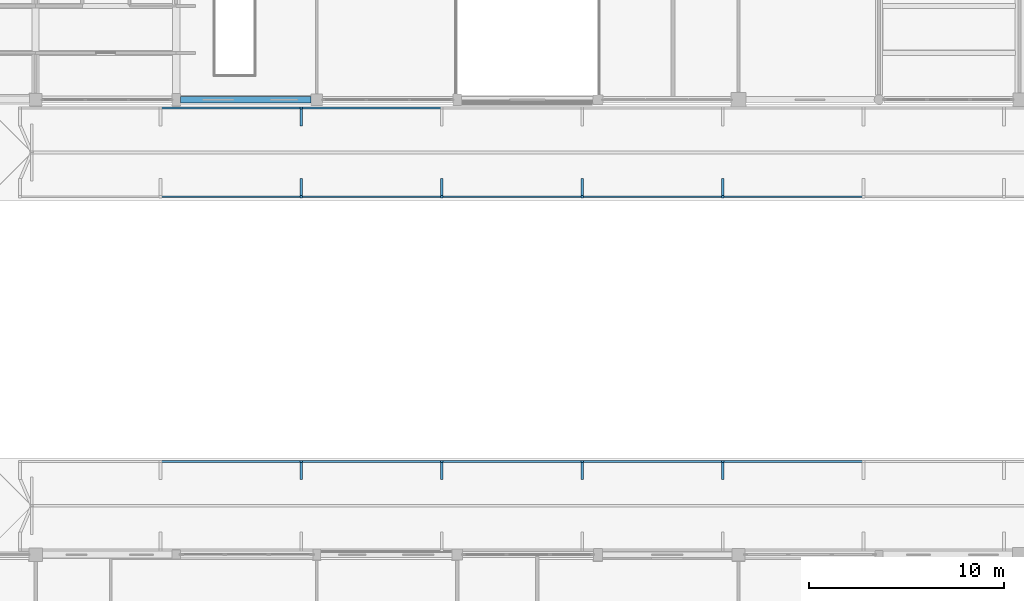
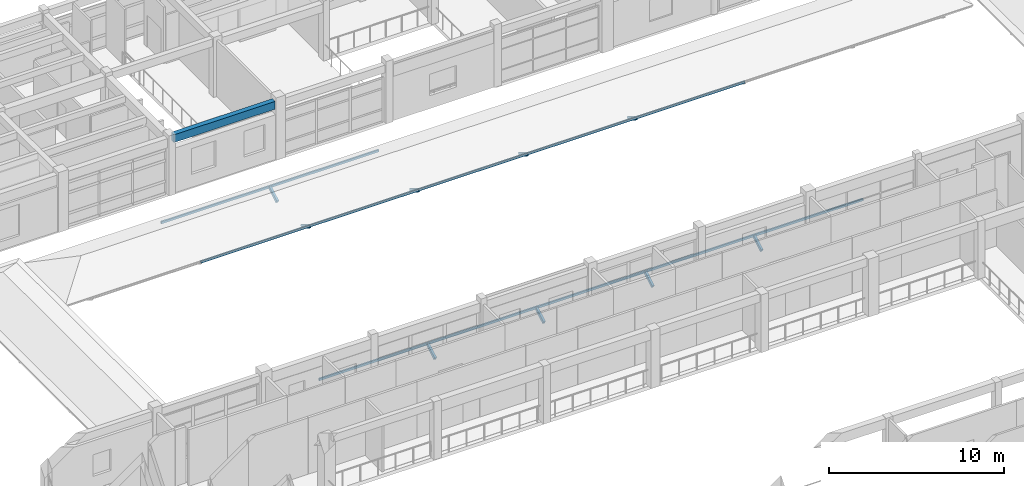
# One storey, part 22 of 110: 21 members, 1 beam.
"""IFC4 building model written with IfcOpenShell, lengths in metres."""

from ifc_helpers import new_model, si_unit, direction, frame, origin, origin_2d, place, context, subcontext, project, spatial, rectangle, hollow_rectangle, extrude, material, material_profile, profile_set, type_object, element, save


model = new_model("IFC4")

# Units and contexts
model_context = context("Model", 3, precision=1e-05, world=origin(), true_north=direction((0.0, 1.0)))
body_context = subcontext(model_context, "Body", "Model", "MODEL_VIEW")
ifc_project = project(units=[si_unit("LENGTHUNIT", "METRE"), si_unit("AREAUNIT", "SQUARE_METRE"), si_unit("VOLUMEUNIT", "CUBIC_METRE"), si_unit("PLANEANGLEUNIT", "RADIAN"), si_unit("MASSUNIT", "GRAM", prefix="KILO")], contexts=[model_context])

# Site, building, storey
site_placement = place(None, origin())
site = spatial("IfcSite", under=ifc_project, at=site_placement, CompositionType="ELEMENT")
building_placement = place(site_placement, origin())
building = spatial("IfcBuilding", under=site, at=building_placement, Name="Steenspoor Specialist Clinic", CompositionType="ELEMENT")
storey_placement = place(building_placement, frame((0.0, 0.0, 4.800048828125)))
storey = spatial("IfcBuildingStorey", under=building, at=storey_placement, Name="L01", CompositionType="ELEMENT", Elevation=4.800048828125)

# Members
ifc_material_1 = material(Name="Steel A500 Grade C", Category="steel")
ifc_material_profile_1 = material_profile(ifc_material_1, hollow_rectangle(XDim=0.1015625, YDim=0.15234375, WallThickness=0.005859375, at=origin_2d()), Name="HSS152X102X6.4")
ifc_profile_set_1 = profile_set([ifc_material_profile_1], Name="Steel A500 Grade C")
member_type_1 = type_object("IfcMemberType", Name="MEM-PURLIN-H152", PredefinedType="PURLIN", material=ifc_profile_set_1)
for number, where, z_axis, x_axis, name in (
    (1, (66.0, 60.179931640625, -1.571533203125), (1.0, 0.0, 0.0), (0.0, 1.0, 0.0), "Walkway Fascia WK4 584"),
    (2, (73.199951171875, 60.179931640625, -1.571533203125), (1.0, 0.0, 0.0), (0.0, 1.0, 0.0), "Walkway Fascia WK4 585"),
):
    element("IfcMember", number, at=place(storey_placement, frame(where, z_axis=z_axis, x_axis=x_axis)), inside=storey, type_object=member_type_1, Name=name, PredefinedType="PURLIN", context=body_context, shape_type="SweptSolid", body=[
        extrude(hollow_rectangle(XDim=0.1015625, YDim=0.15234375, WallThickness=0.005859375, at=origin_2d()), origin(), (0.0, 0.0, 1.0), 7.199951171875),
    ])
member_1_placement = place(storey_placement, frame((80.39990234375, 60.179931640625, -1.571533203125), z_axis=(1.0, 0.0, 0.0), x_axis=(0.0, 1.0, 0.0)))
element("IfcMember", 3, at=member_1_placement, inside=storey, type_object=member_type_1, Name="Walkway Fascia WK4 586", PredefinedType="PURLIN", context=body_context, shape_type="SweptSolid", body=[
    extrude(hollow_rectangle(XDim=0.1015625, YDim=0.15234375, WallThickness=0.005859375, at=origin_2d()), origin(), (0.0, 0.0, 1.0), 7.2001953125),
])
for number, where, z_axis, x_axis, name in (
    (4, (87.60009765625, 60.179931640625, -1.571533203125), (1.0, 0.0, 0.0), (0.0, 1.0, 0.0), "Walkway Fascia WK4 587"),
    (5, (94.800048828125, 60.179931640625, -1.571533203125), (1.0, 0.0, 0.0), (0.0, 1.0, 0.0), "Walkway Fascia WK4 588"),
    (6, (66.0, 64.719970703125, -1.571533203125), (1.0, 0.0, 0.0), (0.0, 1.0, 0.0), "Walkway Fascia WK4 592"),
    (7, (73.199951171875, 64.719970703125, -1.571533203125), (1.0, 0.0, 0.0), (0.0, 1.0, 0.0), "Walkway Fascia WK4 593"),
    (8, (66.0, 46.6201171875, -1.571533203125), (1.0, 0.0, 0.0), (0.0, 1.0, 0.0), "Walkway Fascia WK5 609"),
    (9, (73.199951171875, 46.6201171875, -1.571533203125), (1.0, 0.0, 0.0), (0.0, 1.0, 0.0), "Walkway Fascia WK5 610"),
):
    element("IfcMember", number, at=place(storey_placement, frame(where, z_axis=z_axis, x_axis=x_axis)), inside=storey, type_object=member_type_1, Name=name, PredefinedType="PURLIN", context=body_context, shape_type="SweptSolid", body=[
        extrude(hollow_rectangle(XDim=0.1015625, YDim=0.15234375, WallThickness=0.005859375, at=origin_2d()), origin(), (0.0, 0.0, 1.0), 7.199951171875),
    ])
member_2_placement = place(storey_placement, frame((80.39990234375, 46.6201171875, -1.571533203125), z_axis=(1.0, 0.0, 0.0), x_axis=(0.0, 1.0, 0.0)))
element("IfcMember", 10, at=member_2_placement, inside=storey, type_object=member_type_1, Name="Walkway Fascia WK5 611", PredefinedType="PURLIN", context=body_context, shape_type="SweptSolid", body=[
    extrude(hollow_rectangle(XDim=0.1015625, YDim=0.15234375, WallThickness=0.005859375, at=origin_2d()), origin(), (0.0, 0.0, 1.0), 7.2001953125),
])
for number, where, z_axis, x_axis, name in (
    (11, (87.60009765625, 46.6201171875, -1.571533203125), (1.0, 0.0, 0.0), (0.0, 1.0, 0.0), "Walkway Fascia WK5 612"),
    (12, (94.800048828125, 46.6201171875, -1.571533203125), (1.0, 0.0, 0.0), (0.0, 1.0, 0.0), "Walkway Fascia WK5 613"),
):
    element("IfcMember", number, at=place(storey_placement, frame(where, z_axis=z_axis, x_axis=x_axis)), inside=storey, type_object=member_type_1, Name=name, PredefinedType="PURLIN", context=body_context, shape_type="SweptSolid", body=[
        extrude(hollow_rectangle(XDim=0.1015625, YDim=0.15234375, WallThickness=0.005859375, at=origin_2d()), origin(), (0.0, 0.0, 1.0), 7.199951171875),
    ])
ifc_material_2 = material(Name="Glulam GL28h", Category="wood")
ifc_material_profile_2 = material_profile(ifc_material_2, rectangle(XDim=0.139892578125, YDim=0.219970703125, at=origin_2d()), Name="GL28H-140X220")
ifc_profile_set_2 = profile_set([ifc_material_profile_2], Name="Glulam GL28h")
member_type_2 = type_object("IfcMemberType", Name="MEM-RAFTER-GL220", PredefinedType="RAFTER", material=ifc_profile_set_2)
member_3_placement = place(storey_placement, frame((73.199951171875, 61.050048828125, -2.114990234375), z_axis=(0.0, -0.865991350021, 0.500058978211), x_axis=(1.0, 0.0, 0.0)))
element("IfcMember", 13, at=member_3_placement, inside=storey, type_object=member_type_2, Name="Walkway Eave Outrigger WK4 413", PredefinedType="RAFTER", context=body_context, shape_type="SweptSolid", body=[
    extrude(rectangle(XDim=0.139892578125, YDim=0.219970703125, at=origin_2d()), origin(), (0.0, 0.0, 1.0), 1.0048828125),
])
member_4_placement = place(storey_placement, frame((73.199951171875, 63.85009765625, -2.114990234375), z_axis=(0.0, 0.865930570761, 0.500164219654), x_axis=(-1.0, 0.0, 0.0)))
element("IfcMember", 14, at=member_4_placement, inside=storey, type_object=member_type_2, Name="Walkway Eave Outrigger WK4 414", PredefinedType="RAFTER", context=body_context, shape_type="SweptSolid", body=[
    extrude(rectangle(XDim=0.139892578125, YDim=0.219970703125, at=origin_2d()), origin(), (0.0, 0.0, 1.0), 1.004638671875),
])
for number, where, z_axis, x_axis, name in (
    (15, (80.39990234375, 61.050048828125, -2.114990234375), (0.0, -0.865991350021, 0.500058978211), (1.0, 0.0, 0.0), "Walkway Eave Outrigger WK4 415"),
    (16, (87.60009765625, 61.050048828125, -2.114990234375), (0.0, -0.865991350021, 0.500058978211), (1.0, 0.0, 0.0), "Walkway Eave Outrigger WK4 417"),
    (17, (94.800048828125, 61.050048828125, -2.114990234375), (0.0, -0.865991350021, 0.500058978211), (1.0, 0.0, 0.0), "Walkway Eave Outrigger WK4 419"),
    (18, (73.199951171875, 45.75, -2.114990234375), (0.0, 0.865991350021, 0.500058978211), (-1.0, 0.0, 0.0), "Walkway Eave Outrigger WK5 432"),
    (19, (80.39990234375, 45.75, -2.114990234375), (0.0, 0.865991350021, 0.500058978211), (-1.0, 0.0, 0.0), "Walkway Eave Outrigger WK5 434"),
    (20, (87.60009765625, 45.75, -2.114990234375), (0.0, 0.865991350021, 0.500058978211), (-1.0, 0.0, 0.0), "Walkway Eave Outrigger WK5 436"),
    (21, (94.800048828125, 45.75, -2.114990234375), (0.0, 0.865991350021, 0.500058978211), (-1.0, 0.0, 0.0), "Walkway Eave Outrigger WK5 438"),
):
    element("IfcMember", number, at=place(storey_placement, frame(where, z_axis=z_axis, x_axis=x_axis)), inside=storey, type_object=member_type_2, Name=name, PredefinedType="RAFTER", context=body_context, shape_type="SweptSolid", body=[
        extrude(rectangle(XDim=0.139892578125, YDim=0.219970703125, at=origin_2d()), origin(), (0.0, 0.0, 1.0), 1.0048828125),
    ])

# Beam
ifc_material_3 = material(Name="Concrete C35/45", Category="concrete")
ifc_material_profile_3 = material_profile(ifc_material_3, rectangle(XDim=0.320068359375, YDim=0.5400390625, at=origin_2d()), Name="RC-SP-320X540")
ifc_profile_set_3 = profile_set([ifc_material_profile_3], Name="Concrete C35/45")
beam_type = type_object("IfcBeamType", Name="SP-RC-320X540", PredefinedType="SPANDREL", material=ifc_profile_set_3)
beam_placement = place(storey_placement, frame((67.02001953125, 65.14990234375, 3.764892578125), z_axis=(1.0, 0.0, 0.0), x_axis=(0.0, 1.0, 0.0)))
element("IfcBeam", 22, at=beam_placement, inside=storey, type_object=beam_type, Name="BMTIER-V4-L01-X02-00", PredefinedType="SPANDREL", context=body_context, shape_type="SweptSolid", body=[
    extrude(rectangle(XDim=0.320068359375, YDim=0.5400390625, at=origin_2d()), origin(), (0.0, 0.0, 1.0), 6.68505859375),
])

save(model, "model.ifc")
